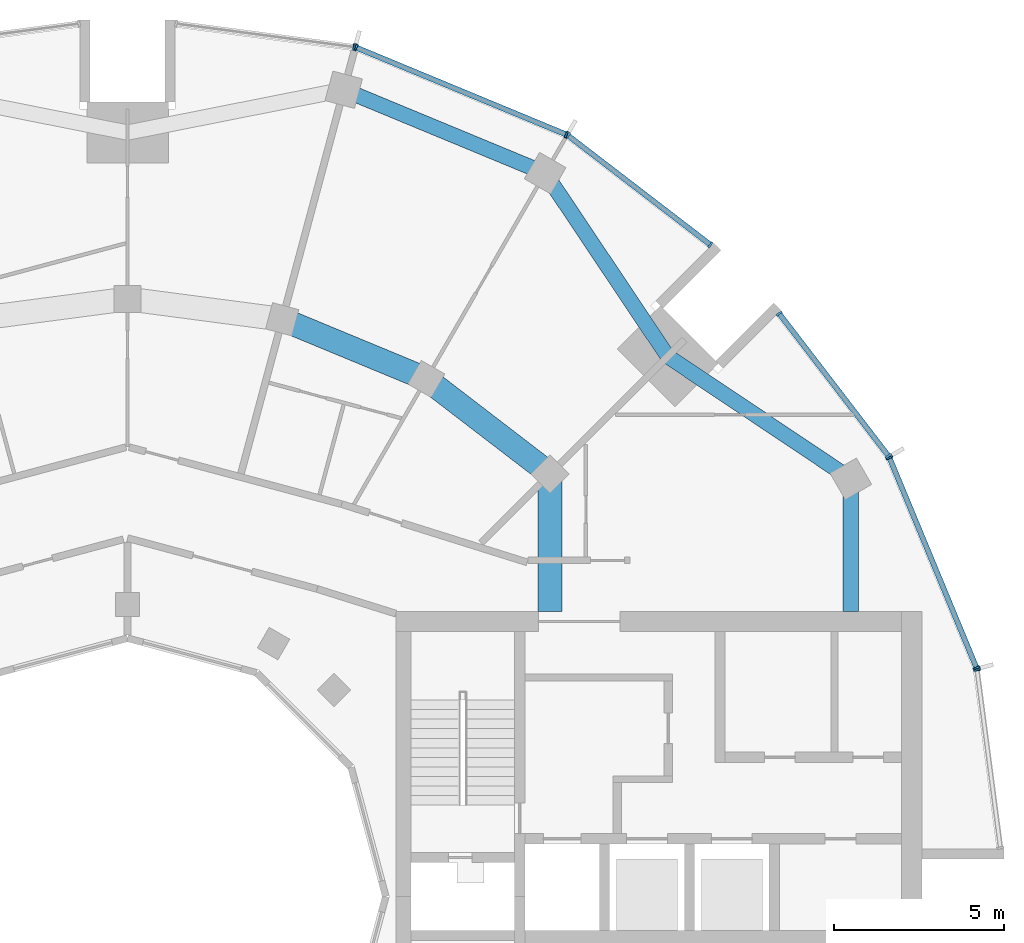
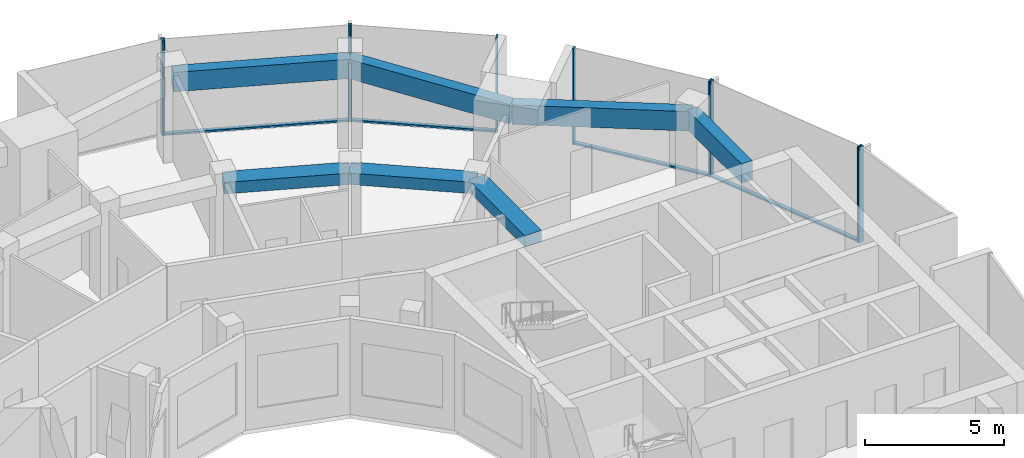
# One storey, part 6 of 15: 14 members, 7 beams, 6 elements without a shape of their own.
"""IFC4 building model written with IfcOpenShell, lengths in metres."""

from ifc_helpers import new_model, si_unit, direction, frame, origin, origin_2d, place, context, subcontext, project, spatial, rectangle, extrude, material, layer, layer_set, material_profile, profile_set, type_object, element, aggregate, save


model = new_model("IFC4")

# Units and contexts
model_context = context("Model", 3, precision=1e-05, world=origin(), true_north=direction((0.0, 1.0)))
body_context = subcontext(model_context, "Body", "Model", "MODEL_VIEW")
ifc_project = project(units=[si_unit("LENGTHUNIT", "METRE"), si_unit("AREAUNIT", "SQUARE_METRE"), si_unit("VOLUMEUNIT", "CUBIC_METRE"), si_unit("PLANEANGLEUNIT", "RADIAN"), si_unit("MASSUNIT", "GRAM", prefix="KILO")], contexts=[model_context])

# Site, building, storey
site_placement = place(None, origin())
site = spatial("IfcSite", under=ifc_project, at=site_placement, CompositionType="ELEMENT")
building_placement = place(site_placement, origin())
building = spatial("IfcBuilding", under=site, at=building_placement, Name="Torre Brocal", CompositionType="ELEMENT")
storey_placement = place(building_placement, frame((0.0, 0.0, 266.699951171875)))
storey = spatial("IfcBuildingStorey", under=building, at=storey_placement, Name="L61", CompositionType="ELEMENT", Elevation=266.699951171875)

# Curtain wall, members
ifc_material_1 = material(Name="Aluminium and glass", Category="aluminium")
ifc_layer_1 = layer(ifc_material_1, 0.199951171875)
ifc_layer_set_1 = layer_set([ifc_layer_1], Name="Aluminium and glass")
curtain_wall_type_1 = type_object("IfcCurtainWallType", Name="CW-1 CURTAIN WALL 4200 HIGH", PredefinedType="NOTDEFINED", material=ifc_layer_set_1)
curtain_wall_1_placement = place(storey_placement, origin())
curtain_wall_1 = element("IfcCurtainWall", 1, at=curtain_wall_1_placement, inside=storey, type_object=curtain_wall_type_1, Name="CW-1 RUN 2", PredefinedType="NOTDEFINED")
ifc_material_2 = material(Name="Aluminium, dark anodised", Category="aluminium")
ifc_material_profile_1 = material_profile(ifc_material_2, rectangle(XDim=0.199951171875, YDim=0.06005859375, at=origin_2d()), Name="CW-1 MULLION 60X200")
ifc_profile_set_1 = profile_set([ifc_material_profile_1], Name="Aluminium, dark anodised")
member_type_1 = type_object("IfcMemberType", Name="CW-1 MULLION 60X200", PredefinedType="MULLION", material=ifc_profile_set_1)
member_1_placement = place(storey_placement, frame((105.005126953125, 81.73095703125, 0.0), z_axis=(0.0, 0.0, 1.0), x_axis=(-0.923879532525, -0.382683432333, 0.0)))
member_1 = element("IfcMember", 2, at=member_1_placement, type_object=member_type_1, Name="CW1-5 mullion 1", PredefinedType="MULLION", context=body_context, shape_type="SweptSolid", body=[
    extrude(rectangle(XDim=0.199951171875, YDim=0.06005859375, at=origin_2d()), origin(), (0.0, 0.0, 1.0), 4.199951171875),
])
member_2_placement = place(storey_placement, frame((102.440673828125, 87.921875, 0.0), z_axis=(0.0, 0.0, 1.0), x_axis=(-0.923879532525, -0.382683432333, 0.0)))
member_2 = element("IfcMember", 3, at=member_2_placement, type_object=member_type_1, Name="CW1-5 mullion 2", PredefinedType="MULLION", context=body_context, shape_type="SweptSolid", body=[
    extrude(rectangle(XDim=0.199951171875, YDim=0.06005859375, at=origin_2d()), origin(), (0.0, 0.0, 1.0), 4.199951171875),
])

curtain_wall_2_placement = place(storey_placement, origin())
curtain_wall_2 = element("IfcCurtainWall", 4, at=curtain_wall_2_placement, inside=storey, type_object=curtain_wall_type_1, Name="CW-1 RUN 3", PredefinedType="NOTDEFINED")
member_3_placement = place(storey_placement, frame((102.4111328125, 87.973388671875, 0.0), z_axis=(0.0, 0.0, 1.0), x_axis=(-0.793353340259, -0.60876142905, 0.0)))
member_3 = element("IfcMember", 5, at=member_3_placement, type_object=member_type_1, Name="CW1-5 mullion 1", PredefinedType="MULLION", context=body_context, shape_type="SweptSolid", body=[
    extrude(rectangle(XDim=0.199951171875, YDim=0.06005859375, at=origin_2d()), origin(), (0.0, 0.0, 1.0), 4.199951171875),
])
member_4_placement = place(storey_placement, frame((99.19140625, 92.16943359375, 0.0), z_axis=(0.0, 0.0, 1.0), x_axis=(-0.793353340259, -0.60876142905, 0.0)))
member_4 = element("IfcMember", 6, at=member_4_placement, type_object=member_type_1, Name="CW1-5 mullion 2", PredefinedType="MULLION", context=body_context, shape_type="SweptSolid", body=[
    extrude(rectangle(XDim=0.199951171875, YDim=0.06005859375, at=origin_2d()), origin(), (0.0, 0.0, 1.0), 4.199951171875),
])

curtain_wall_3_placement = place(storey_placement, origin())
curtain_wall_3 = element("IfcCurtainWall", 7, at=curtain_wall_3_placement, inside=storey, type_object=curtain_wall_type_1, Name="CW-1 RUN 4", PredefinedType="NOTDEFINED")
member_5_placement = place(storey_placement, frame((97.16943359375, 94.19140625, 0.0), z_axis=(0.0, 0.0, 1.0), x_axis=(-0.60876142905, -0.793353340259, 0.0)))
member_5 = element("IfcMember", 8, at=member_5_placement, type_object=member_type_1, Name="CW1-5 mullion 1", PredefinedType="MULLION", context=body_context, shape_type="SweptSolid", body=[
    extrude(rectangle(XDim=0.199951171875, YDim=0.06005859375, at=origin_2d()), origin(), (0.0, 0.0, 1.0), 4.199951171875),
])
member_6_placement = place(storey_placement, frame((92.973388671875, 97.4111328125, 0.0), z_axis=(0.0, 0.0, 1.0), x_axis=(-0.60876142905, -0.793353340259, 0.0)))
member_6 = element("IfcMember", 9, at=member_6_placement, type_object=member_type_1, Name="CW1-5 mullion 2", PredefinedType="MULLION", context=body_context, shape_type="SweptSolid", body=[
    extrude(rectangle(XDim=0.199951171875, YDim=0.06005859375, at=origin_2d()), origin(), (0.0, 0.0, 1.0), 4.199951171875),
])

curtain_wall_4_placement = place(storey_placement, origin())
curtain_wall_4 = element("IfcCurtainWall", 10, at=curtain_wall_4_placement, inside=storey, type_object=curtain_wall_type_1, Name="CW-1 RUN 5", PredefinedType="NOTDEFINED")
member_7_placement = place(storey_placement, frame((92.921875, 97.440673828125, 0.0), z_axis=(0.0, 0.0, 1.0), x_axis=(-0.382683432333, -0.923879532525, 0.0)))
member_7 = element("IfcMember", 11, at=member_7_placement, type_object=member_type_1, Name="CW1-5 mullion 1", PredefinedType="MULLION", context=body_context, shape_type="SweptSolid", body=[
    extrude(rectangle(XDim=0.199951171875, YDim=0.06005859375, at=origin_2d()), origin(), (0.0, 0.0, 1.0), 4.199951171875),
])
member_8_placement = place(storey_placement, frame((86.73095703125, 100.005126953125, 0.0), z_axis=(0.0, 0.0, 1.0), x_axis=(-0.382683432333, -0.923879532525, 0.0)))
member_8 = element("IfcMember", 12, at=member_8_placement, type_object=member_type_1, Name="CW1-5 mullion 2", PredefinedType="MULLION", context=body_context, shape_type="SweptSolid", body=[
    extrude(rectangle(XDim=0.199951171875, YDim=0.06005859375, at=origin_2d()), origin(), (0.0, 0.0, 1.0), 4.199951171875),
])

# Curtain wall, member
curtain_wall_5_placement = place(storey_placement, origin())
curtain_wall_5 = element("IfcCurtainWall", 13, at=curtain_wall_5_placement, inside=storey, type_object=curtain_wall_type_1, Name="CW-1 RUN 6", PredefinedType="NOTDEFINED")
member_9_placement = place(storey_placement, frame((86.67333984375, 100.0205078125, 0.0), z_axis=(0.0, 0.0, 1.0), x_axis=(-0.13052619222, -0.991444861374, 0.0)))
member_9 = element("IfcMember", 14, at=member_9_placement, type_object=member_type_1, Name="CW1-5 mullion 1", PredefinedType="MULLION", context=body_context, shape_type="SweptSolid", body=[
    extrude(rectangle(XDim=0.199951171875, YDim=0.06005859375, at=origin_2d()), origin(), (0.0, 0.0, 1.0), 4.199951171875),
])
aggregate(curtain_wall_5, [member_9])

# Member
ifc_material_3 = material(Name="Aluminium, dark anodised", Category="aluminium")
ifc_material_profile_2 = material_profile(ifc_material_3, rectangle(XDim=0.159912109375, YDim=0.080078125, at=origin_2d()), Name="CW-1 TRANSOM 160X80")
ifc_profile_set_2 = profile_set([ifc_material_profile_2], Name="Aluminium, dark anodised")
member_type_2 = type_object("IfcMemberType", Name="CW-1 TRANSOM 160X80", PredefinedType="USERDEFINED", material=ifc_profile_set_2)
member_10_placement = place(storey_placement, frame((104.99365234375, 81.758544921875, 0.0400390625), z_axis=(-0.38266457234, 0.923887344364, 0.0), x_axis=(-0.923887344364, -0.38266457234, 0.0)))
member_10 = element("IfcMember", 15, at=member_10_placement, type_object=member_type_2, Name="CW1-5 transom 1.1", ObjectType="TRANSOM", PredefinedType="USERDEFINED", context=body_context, shape_type="SweptSolid", body=[
    extrude(rectangle(XDim=0.159912109375, YDim=0.080078125, at=origin_2d()), origin(), (0.0, 0.0, 1.0), 6.640869140625),
])

aggregate(curtain_wall_1, [member_1, member_2, member_10])

member_11_placement = place(storey_placement, frame((102.392822265625, 87.9970703125, 0.0400390625), z_axis=(-0.60874908096, 0.79336281513, 0.0), x_axis=(-0.79336281513, -0.60874908096, 0.0)))
member_11 = element("IfcMember", 16, at=member_11_placement, type_object=member_type_2, Name="CW1-5 transom 1.1", ObjectType="TRANSOM", PredefinedType="USERDEFINED", context=body_context, shape_type="SweptSolid", body=[
    extrude(rectangle(XDim=0.159912109375, YDim=0.080078125, at=origin_2d()), origin(), (0.0, 0.0, 1.0), 5.22900390625),
])

aggregate(curtain_wall_2, [member_3, member_4, member_11])

member_12_placement = place(storey_placement, frame((97.1455078125, 94.209716796875, 0.0400390625), z_axis=(-0.79336281513, 0.60874908096, 0.0), x_axis=(-0.60874908096, -0.79336281513, 0.0)))
member_12 = element("IfcMember", 17, at=member_12_placement, type_object=member_type_2, Name="CW1-5 transom 1.1", ObjectType="TRANSOM", PredefinedType="USERDEFINED", context=body_context, shape_type="SweptSolid", body=[
    extrude(rectangle(XDim=0.159912109375, YDim=0.080078125, at=origin_2d()), origin(), (0.0, 0.0, 1.0), 5.22900390625),
])

aggregate(curtain_wall_3, [member_5, member_6, member_12])

member_13_placement = place(storey_placement, frame((92.89404296875, 97.452392578125, 0.0400390625), z_axis=(-0.923887344364, 0.38266457234, 0.0), x_axis=(-0.38266457234, -0.923887344364, 0.0)))
member_13 = element("IfcMember", 18, at=member_13_placement, type_object=member_type_2, Name="CW1-5 transom 1.1", ObjectType="TRANSOM", PredefinedType="USERDEFINED", context=body_context, shape_type="SweptSolid", body=[
    extrude(rectangle(XDim=0.159912109375, YDim=0.080078125, at=origin_2d()), origin(), (0.0, 0.0, 1.0), 6.640869140625),
])

aggregate(curtain_wall_4, [member_7, member_8, member_13])

# Curtain wall, member
ifc_material_4 = material(Name="Aluminium and glass", Category="aluminium")
ifc_layer_2 = layer(ifc_material_4, 0.199951171875)
ifc_layer_set_2 = layer_set([ifc_layer_2], Name="Aluminium and glass")
curtain_wall_type_2 = type_object("IfcCurtainWallType", Name="CW-1B CURTAIN WALL 4200 HIGH", PredefinedType="NOTDEFINED", material=ifc_layer_set_2)
curtain_wall_6_placement = place(storey_placement, origin())
curtain_wall_6 = element("IfcCurtainWall", 19, at=curtain_wall_6_placement, inside=storey, type_object=curtain_wall_type_2, Name="CW-1B RUN 1", PredefinedType="NOTDEFINED")
ifc_material_5 = material(Name="Aluminium, dark anodised", Category="aluminium")
ifc_material_profile_3 = material_profile(ifc_material_5, rectangle(XDim=0.199951171875, YDim=0.06005859375, at=origin_2d()), Name="CW-1B MULLION 60X200")
ifc_profile_set_3 = profile_set([ifc_material_profile_3], Name="Aluminium, dark anodised")
member_type_3 = type_object("IfcMemberType", Name="CW-1B MULLION 60X200", PredefinedType="MULLION", material=ifc_profile_set_3)
member_14_placement = place(storey_placement, frame((105.0205078125, 81.67333984375, 0.0), z_axis=(0.0, 0.0, 1.0), x_axis=(-0.991444861374, -0.13052619222, 0.0)))
member_14 = element("IfcMember", 20, at=member_14_placement, type_object=member_type_3, Name="CW1B-5 mullion 2", PredefinedType="MULLION", context=body_context, shape_type="SweptSolid", body=[
    extrude(rectangle(XDim=0.199951171875, YDim=0.06005859375, at=origin_2d()), origin(), (0.0, 0.0, 1.0), 4.199951171875),
])
aggregate(curtain_wall_6, [member_14])

# Beams
ifc_material_6 = material(Name="Concrete C50", Category="concrete")
ifc_material_profile_4 = material_profile(ifc_material_6, rectangle(XDim=0.699951171875, YDim=0.5, at=origin_2d()), Name="RC 700X500")
ifc_profile_set_4 = profile_set([ifc_material_profile_4], Name="Concrete C50")
beam_type_1 = type_object("IfcBeamType", Name="RC BEAM 700X500 C50 TOP 3750", PredefinedType="BEAM", material=ifc_profile_set_4)
beam_1_placement = place(storey_placement, frame((92.445068359375, 87.445068359375, 3.5), z_axis=(-0.793358265959, 0.6087550097, 0.0), x_axis=(-0.6087550097, -0.793358265959, 0.0)))
element("IfcBeam", 21, at=beam_1_placement, inside=storey, type_object=beam_type_1, Name="Beam BT-43", PredefinedType="BEAM", context=body_context, shape_type="SweptSolid", body=[
    extrude(rectangle(XDim=0.699951171875, YDim=0.5, at=origin_2d()), origin(), (0.0, 0.0, 1.0), 4.594482421875),
])
beam_2_placement = place(storey_placement, frame((88.800048828125, 90.241943359375, 3.5), z_axis=(-0.923878240166, 0.382686552348, 0.0), x_axis=(-0.382686552348, -0.923878240166, 0.0)))
element("IfcBeam", 22, at=beam_2_placement, inside=storey, type_object=beam_type_1, Name="Beam BT-43", PredefinedType="BEAM", context=body_context, shape_type="SweptSolid", body=[
    extrude(rectangle(XDim=0.699951171875, YDim=0.5, at=origin_2d()), origin(), (0.0, 0.0, 1.0), 4.5947265625),
])
beam_3_placement = place(storey_placement, frame((92.445068359375, 87.445068359375, 3.5), z_axis=(0.0, -1.0, 0.0), x_axis=(1.0, 0.0, 0.0)))
element("IfcBeam", 23, at=beam_3_placement, inside=storey, type_object=beam_type_1, Name="Beam BT-43", PredefinedType="BEAM", context=body_context, shape_type="SweptSolid", body=[
    extrude(rectangle(XDim=0.699951171875, YDim=0.5, at=origin_2d()), origin(), (0.0, 0.0, 1.0), 4.045166015625),
])
ifc_material_7 = material(Name="Concrete C50", Category="concrete")
ifc_material_profile_5 = material_profile(ifc_material_7, rectangle(XDim=0.449951171875, YDim=0.85009765625, at=origin_2d()), Name="RC 450X850")
ifc_profile_set_5 = profile_set([ifc_material_profile_5], Name="Concrete C50")
beam_type_2 = type_object("IfcBeamType", Name="RC SPANDREL BEAM 450X850 C50 TOP 3750", PredefinedType="SPANDREL", material=ifc_profile_set_5)
for number, where, z_axis, x_axis, name in (
    (24, (101.30419921875, 87.300048828125, 3.324951171875), (-0.831076844476, 0.556157602282, 0.0), (-0.556157602282, -0.831076844476, 0.0), "Beam BT-44"),
    (25, (95.909912109375, 90.909912109375, 3.324951171875), (-0.556157602282, 0.831076844476, 0.0), (-0.831076844476, -0.556157602282, 0.0), "Beam BT-44"),
):
    element("IfcBeam", number, at=place(storey_placement, frame(where, z_axis=z_axis, x_axis=x_axis)), inside=storey, type_object=beam_type_2, Name=name, PredefinedType="SPANDREL", context=body_context, shape_type="SweptSolid", body=[
        extrude(rectangle(XDim=0.449951171875, YDim=0.85009765625, at=origin_2d()), origin(), (0.0, 0.0, 1.0), 6.49072265625),
    ])
beam_4_placement = place(storey_placement, frame((92.300048828125, 96.30419921875, 3.324951171875), z_axis=(-0.923882462513, 0.382676358639, 0.0), x_axis=(-0.382676358639, -0.923882462513, 0.0)))
element("IfcBeam", 26, at=beam_4_placement, inside=storey, type_object=beam_type_2, Name="Beam BT-44", PredefinedType="SPANDREL", context=body_context, shape_type="SweptSolid", body=[
    extrude(rectangle(XDim=0.449951171875, YDim=0.85009765625, at=origin_2d()), origin(), (0.0, 0.0, 1.0), 6.421875),
])
beam_5_placement = place(storey_placement, frame((101.30419921875, 87.300048828125, 3.324951171875), z_axis=(0.0, -1.0, 0.0), x_axis=(1.0, 0.0, 0.0)))
element("IfcBeam", 27, at=beam_5_placement, inside=storey, type_object=beam_type_2, Name="Beam BT-44", PredefinedType="SPANDREL", context=body_context, shape_type="SweptSolid", body=[
    extrude(rectangle(XDim=0.449951171875, YDim=0.85009765625, at=origin_2d()), origin(), (0.0, 0.0, 1.0), 3.900146484375),
])

save(model, "model.ifc")
